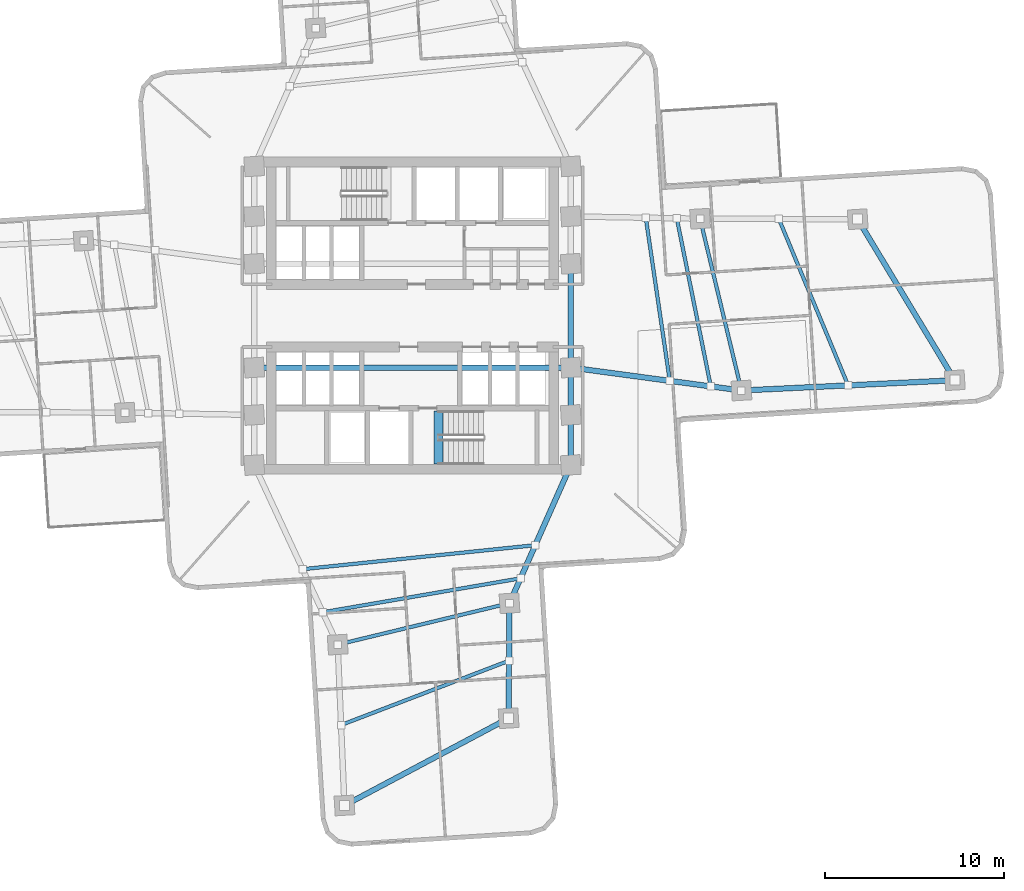
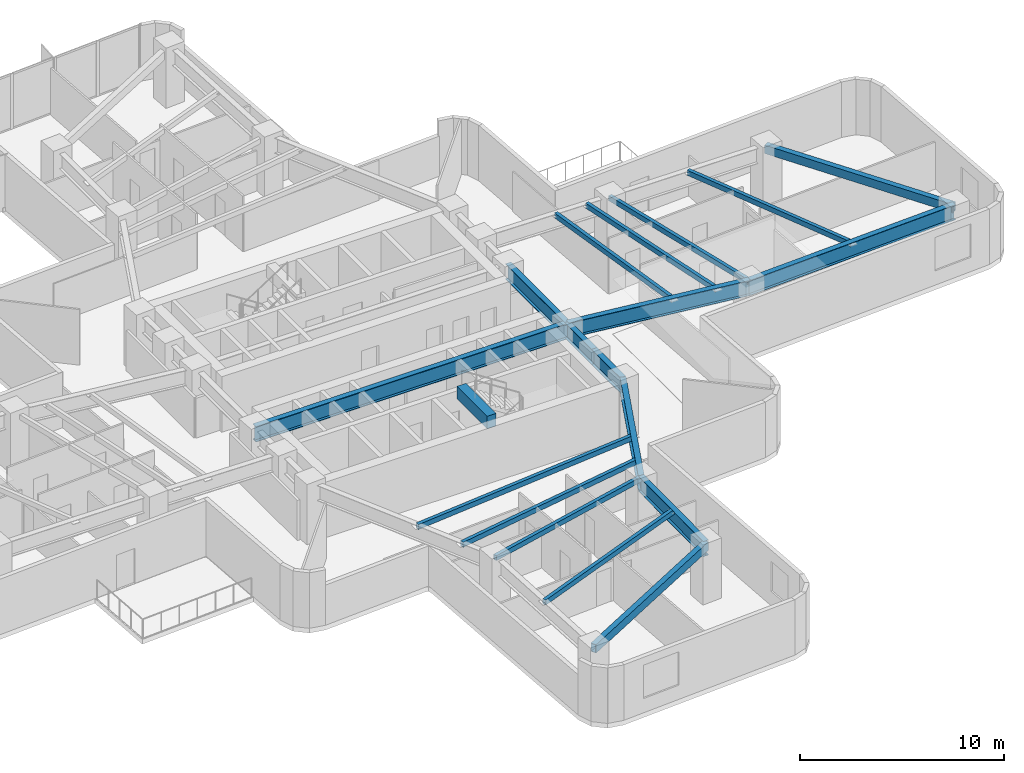
# One storey, part 3 of 16: 19 beams.
"""IFC4 building model written with IfcOpenShell, lengths in metres."""

from ifc_helpers import new_model, si_unit, direction, frame, origin, origin_2d, place, context, subcontext, project, spatial, rectangle, hollow_rectangle, i_section, extrude, material, material_profile, profile_set, type_object, element, save


model = new_model("IFC4")

# Units and contexts
model_context = context("Model", 3, precision=1e-05, world=origin(), true_north=direction((0.0, 1.0)))
body_context = subcontext(model_context, "Body", "Model", "MODEL_VIEW")
ifc_project = project(units=[si_unit("LENGTHUNIT", "METRE"), si_unit("AREAUNIT", "SQUARE_METRE"), si_unit("VOLUMEUNIT", "CUBIC_METRE"), si_unit("PLANEANGLEUNIT", "RADIAN"), si_unit("MASSUNIT", "GRAM", prefix="KILO")], contexts=[model_context])

# Site, building, storey
site_placement = place(None, origin())
site = spatial("IfcSite", under=ifc_project, at=site_placement, CompositionType="ELEMENT")
building_placement = place(site_placement, origin())
building = spatial("IfcBuilding", under=site, at=building_placement, Name="Solmarez Civic Tower", CompositionType="ELEMENT")
storey_placement = place(building_placement, frame((0.0, 0.0, 53.280029296875)))
storey = spatial("IfcBuildingStorey", under=building, at=storey_placement, Name="L13", CompositionType="ELEMENT", Elevation=53.280029296875)

# Beams
ifc_material_1 = material(Name="Steel S355", Category="steel")
ifc_material_profile_1 = material_profile(ifc_material_1, hollow_rectangle(XDim=0.199951171875, YDim=0.300048828125, WallThickness=0.011962890625, at=origin_2d()), Name="HSS300X200X12")
ifc_profile_set_1 = profile_set([ifc_material_profile_1], Name="Steel S355")
beam_type_1 = type_object("IfcBeamType", Name="BM-JS-HSS300X200", PredefinedType="JOIST", material=ifc_profile_set_1)
beam_1_placement = place(storey_placement, frame((18.39111328125, -4.18408203125, 3.169921875), z_axis=(-0.234328919867, 0.97215737271, 0.0), x_axis=(-0.97215737271, -0.234328919867, 0.0)))
element("IfcBeam", 1, at=beam_1_placement, inside=storey, type_object=beam_type_1, Name="L13 Secondary Floor Joist BM-L13-EA-T1", PredefinedType="JOIST", context=body_context, shape_type="SweptSolid", body=[
    extrude(hollow_rectangle(XDim=0.199951171875, YDim=0.300048828125, WallThickness=0.011962890625, at=origin_2d()), origin(), (0.0, 0.0, 1.0), 9.880126953125),
])
beam_2_placement = place(storey_placement, frame((24.35498046875, -3.89697265625, 3.169921875), z_axis=(-0.384310898391, 0.923203733408, 0.0), x_axis=(-0.923203733408, -0.384310898391, 0.0)))
element("IfcBeam", 2, at=beam_2_placement, inside=storey, type_object=beam_type_1, Name="L13 Secondary Floor Joist JS-L13-EA-M2", PredefinedType="JOIST", context=body_context, shape_type="SweptSolid", body=[
    extrude(hollow_rectangle(XDim=0.199951171875, YDim=0.300048828125, WallThickness=0.011962890625, at=origin_2d()), origin(), (0.0, 0.0, 1.0), 10.077880859375),
])
beam_3_placement = place(storey_placement, frame((14.384033203125, -3.64501953125, 3.169921875), z_axis=(-0.145687649447, 0.989330636743, 0.0), x_axis=(-0.989330636743, -0.145687649447, 0.0)))
element("IfcBeam", 3, at=beam_3_placement, inside=storey, type_object=beam_type_1, Name="L13 Secondary Floor Joist JS-L13-EA-M11", PredefinedType="JOIST", context=body_context, shape_type="SweptSolid", body=[
    extrude(hollow_rectangle(XDim=0.199951171875, YDim=0.300048828125, WallThickness=0.011962890625, at=origin_2d()), origin(), (0.0, 0.0, 1.0), 9.218505859375),
])
beam_4_placement = place(storey_placement, frame((16.674072265625, -3.952880859375, 3.169921875), z_axis=(-0.198099134772, 0.980181989634, 0.0), x_axis=(-0.980181989634, -0.198099134772, 0.0)))
element("IfcBeam", 4, at=beam_4_placement, inside=storey, type_object=beam_type_1, Name="L13 Secondary Floor Joist JS-L13-EA-M12", PredefinedType="JOIST", context=body_context, shape_type="SweptSolid", body=[
    extrude(hollow_rectangle(XDim=0.199951171875, YDim=0.300048828125, WallThickness=0.011962890625, at=origin_2d()), origin(), (0.0, 0.0, 1.0), 9.5869140625),
])
beam_5_placement = place(storey_placement, frame((-4.18408203125, -18.39111328125, 3.169921875), z_axis=(0.97215737271, 0.234328919867, 0.0), x_axis=(-0.234328919867, 0.97215737271, 0.0)))
element("IfcBeam", 5, at=beam_5_placement, inside=storey, type_object=beam_type_1, Name="L13 Secondary Floor Joist BM-L13-SA-T1", PredefinedType="JOIST", context=body_context, shape_type="SweptSolid", body=[
    extrude(hollow_rectangle(XDim=0.199951171875, YDim=0.300048828125, WallThickness=0.011962890625, at=origin_2d()), origin(), (0.0, 0.0, 1.0), 9.880126953125),
])
beam_6_placement = place(storey_placement, frame((-3.9951171875, -22.886962890625, 3.169921875), z_axis=(0.933878315551, 0.357590955903, 0.0), x_axis=(-0.357590955903, 0.933878315551, 0.0)))
element("IfcBeam", 6, at=beam_6_placement, inside=storey, type_object=beam_type_1, Name="L13 Secondary Floor Joist JS-L13-SA-M2", PredefinedType="JOIST", context=body_context, shape_type="SweptSolid", body=[
    extrude(hollow_rectangle(XDim=0.199951171875, YDim=0.300048828125, WallThickness=0.011962890625, at=origin_2d()), origin(), (0.0, 0.0, 1.0), 10.05615234375),
])
beam_7_placement = place(storey_placement, frame((-6.14404296875, -14.174072265625, 3.169921875), z_axis=(0.9947100999, 0.102722038325, 0.0), x_axis=(-0.102722038325, 0.9947100999, 0.0)))
element("IfcBeam", 7, at=beam_7_placement, inside=storey, type_object=beam_type_1, Name="L13 Secondary Floor Joist JS-L13-SA-M11", PredefinedType="JOIST", context=body_context, shape_type="SweptSolid", body=[
    extrude(hollow_rectangle(XDim=0.199951171875, YDim=0.300048828125, WallThickness=0.011962890625, at=origin_2d()), origin(), (0.0, 0.0, 1.0), 13.07421875),
])
beam_8_placement = place(storey_placement, frame((-5.02392578125, -16.583984375, 3.169921875), z_axis=(0.985583934907, 0.169187195889, 0.0), x_axis=(-0.169187195889, 0.985583934907, 0.0)))
element("IfcBeam", 8, at=beam_8_placement, inside=storey, type_object=beam_type_1, Name="L13 Secondary Floor Joist JS-L13-SA-M12", PredefinedType="JOIST", context=body_context, shape_type="SweptSolid", body=[
    extrude(hollow_rectangle(XDim=0.199951171875, YDim=0.300048828125, WallThickness=0.011962890625, at=origin_2d()), origin(), (0.0, 0.0, 1.0), 11.223876953125),
])
ifc_material_2 = material(Name="Concrete C50/60", Category="concrete")
ifc_material_profile_2 = material_profile(ifc_material_2, rectangle(XDim=0.5, YDim=0.75, at=origin_2d()), Name="RC500X750")
ifc_profile_set_2 = profile_set([ifc_material_profile_2], Name="Concrete C50/60")
beam_type_2 = type_object("IfcBeamType", Name="BM-PR-RC500X750", PredefinedType="BEAM", material=ifc_profile_set_2)
beam_9_placement = place(storey_placement, frame((1.449951171875, -8.300048828125, 3.23291015625), z_axis=(0.0, 1.0, 0.0), x_axis=(-1.0, 0.0, 0.0)))
element("IfcBeam", 9, at=beam_9_placement, inside=storey, type_object=beam_type_2, Name="L13 South Stair Threshold Beam", PredefinedType="BEAM", context=body_context, shape_type="SweptSolid", body=[
    extrude(rectangle(XDim=0.5, YDim=0.75, at=origin_2d()), origin(), (0.0, 0.0, 1.0), 2.9599609375),
])
ifc_material_profile_3 = material_profile(ifc_material_1, i_section(OverallWidth=0.303955078125, OverallDepth=0.910888671875, WebThickness=0.015869140625, FlangeThickness=0.02392578125, at=origin_2d()), Name="W36X150")
ifc_profile_set_3 = profile_set([ifc_material_profile_3], Name="Steel S355")
beam_type_3 = type_object("IfcBeamType", Name="BM-PR-W36X150", PredefinedType="BEAM", material=ifc_profile_set_3)
beam_10_placement = place(storey_placement, frame((8.85009765625, -2.89990234375, 2.864990234375), z_axis=(0.991063240718, -0.133392851745, 0.0), x_axis=(0.133392851745, 0.991063240718, 0.0)))
element("IfcBeam", 10, at=beam_10_placement, inside=storey, type_object=beam_type_3, Name="L13 Primary Floor Beam BM-L13-EA-R1A", PredefinedType="BEAM", context=body_context, shape_type="SweptSolid", body=[
    extrude(i_section(OverallWidth=0.303955078125, OverallDepth=0.910888671875, WebThickness=0.015869140625, FlangeThickness=0.02392578125, at=origin_2d()), origin(), (0.0, 0.0, 1.0), 9.626953125),
])
beam_11_placement = place(storey_placement, frame((18.39111328125, -4.18408203125, 2.864990234375), z_axis=(0.998839135977, 0.048170327398, 0.0), x_axis=(-0.048170327398, 0.998839135977, 0.0)))
element("IfcBeam", 11, at=beam_11_placement, inside=storey, type_object=beam_type_3, Name="L13 Primary Floor Beam BM-L13-EA-R2A", PredefinedType="BEAM", context=body_context, shape_type="SweptSolid", body=[
    extrude(i_section(OverallWidth=0.303955078125, OverallDepth=0.910888671875, WebThickness=0.015869140625, FlangeThickness=0.02392578125, at=origin_2d()), origin(), (0.0, 0.0, 1.0), 11.94091796875),
])
beam_12_placement = place(storey_placement, frame((8.85009765625, -8.35009765625, 2.864990234375), z_axis=(-0.405693556952, -0.914009156326, 0.0), x_axis=(0.914009156326, -0.405693556952, 0.0)))
element("IfcBeam", 12, at=beam_12_placement, inside=storey, type_object=beam_type_3, Name="L13 Primary Floor Beam BM-L13-SA-R1B", PredefinedType="BEAM", context=body_context, shape_type="SweptSolid", body=[
    extrude(i_section(OverallWidth=0.303955078125, OverallDepth=0.910888671875, WebThickness=0.015869140625, FlangeThickness=0.02392578125, at=origin_2d()), origin(), (0.0, 0.0, 1.0), 8.45263671875),
])
beam_13_placement = place(storey_placement, frame((5.4208984375, -16.075927734375, 2.864990234375), z_axis=(-0.007592219108, -0.999971178689, 0.0), x_axis=(0.999971178689, -0.007592219108, 0.0)))
element("IfcBeam", 13, at=beam_13_placement, inside=storey, type_object=beam_type_3, Name="L13 Primary Floor Beam BM-L13-SA-R2B", PredefinedType="BEAM", context=body_context, shape_type="SweptSolid", body=[
    extrude(i_section(OverallWidth=0.303955078125, OverallDepth=0.910888671875, WebThickness=0.015869140625, FlangeThickness=0.02392578125, at=origin_2d()), origin(), (0.0, 0.0, 1.0), 6.431396484375),
])
ifc_material_profile_4 = material_profile(ifc_material_1, i_section(OverallWidth=0.306884765625, OverallDepth=0.927001953125, WebThickness=0.019287109375, FlangeThickness=0.031982421875, at=origin_2d()), Name="W36X194")
ifc_profile_set_4 = profile_set([ifc_material_profile_4], Name="Steel S355")
beam_type_4 = type_object("IfcBeamType", Name="BM-PR-W36X194", PredefinedType="BEAM", material=ifc_profile_set_4)
beam_14_placement = place(storey_placement, frame((8.85009765625, -8.35009765625, 2.85595703125), z_axis=(0.0, 1.0, 0.0), x_axis=(-1.0, 0.0, 0.0)))
element("IfcBeam", 14, at=beam_14_placement, inside=storey, type_object=beam_type_4, Name="L13 Primary Floor Beam BM-L13-HC10-HC5", PredefinedType="BEAM", context=body_context, shape_type="SweptSolid", body=[
    extrude(i_section(OverallWidth=0.306884765625, OverallDepth=0.927001953125, WebThickness=0.019287109375, FlangeThickness=0.031982421875, at=origin_2d()), origin(), (0.0, 0.0, 1.0), 2.800048828125),
])
beam_15_placement = place(storey_placement, frame((8.85009765625, -5.550048828125, 2.85595703125), z_axis=(0.0, 1.0, 0.0), x_axis=(-1.0, 0.0, 0.0)))
element("IfcBeam", 15, at=beam_15_placement, inside=storey, type_object=beam_type_4, Name="L13 Primary Floor Beam BM-L13-HC5-HC6", PredefinedType="BEAM", context=body_context, shape_type="SweptSolid", body=[
    extrude(i_section(OverallWidth=0.306884765625, OverallDepth=0.927001953125, WebThickness=0.019287109375, FlangeThickness=0.031982421875, at=origin_2d()), origin(), (0.0, 0.0, 1.0), 2.650146484375),
])
beam_16_placement = place(storey_placement, frame((8.85009765625, -2.89990234375, 2.85595703125), z_axis=(0.0, 1.0, 0.0), x_axis=(-1.0, 0.0, 0.0)))
element("IfcBeam", 16, at=beam_16_placement, inside=storey, type_object=beam_type_4, Name="L13 Primary Floor Beam BM-L13-HC6-HC7", PredefinedType="BEAM", context=body_context, shape_type="SweptSolid", body=[
    extrude(i_section(OverallWidth=0.306884765625, OverallDepth=0.927001953125, WebThickness=0.019287109375, FlangeThickness=0.031982421875, at=origin_2d()), origin(), (0.0, 0.0, 1.0), 5.7998046875),
])
beam_17_placement = place(storey_placement, frame((-8.85009765625, -2.89990234375, 2.85595703125), z_axis=(1.0, 0.0, 0.0), x_axis=(0.0, 1.0, 0.0)))
element("IfcBeam", 17, at=beam_17_placement, inside=storey, type_object=beam_type_4, Name="L13 Primary Floor Beam BM-L13-HC2-HC6", PredefinedType="BEAM", context=body_context, shape_type="SweptSolid", body=[
    extrude(i_section(OverallWidth=0.306884765625, OverallDepth=0.927001953125, WebThickness=0.019287109375, FlangeThickness=0.031982421875, at=origin_2d()), origin(), (0.0, 0.0, 1.0), 17.7001953125),
])
ifc_material_profile_5 = material_profile(ifc_material_1, hollow_rectangle(XDim=0.300048828125, YDim=0.5, WallThickness=0.02001953125, at=origin_2d()), Name="HSS500X300X20")
ifc_profile_set_5 = profile_set([ifc_material_profile_5], Name="Steel S355")
beam_type_5 = type_object("IfcBeamType", Name="BM-SP-HSS500X300", PredefinedType="SPANDREL", material=ifc_profile_set_5)
beam_18_placement = place(storey_placement, frame((30.318115234375, -3.60888671875, 3.070068359375), z_axis=(-0.516522901024, 0.856273374991, 0.0), x_axis=(-0.856273374991, -0.516522901024, 0.0)))
element("IfcBeam", 18, at=beam_18_placement, inside=storey, type_object=beam_type_5, Name="L13 Perimeter Spandrel Beam BM-L13-EA-T2", PredefinedType="SPANDREL", context=body_context, shape_type="SweptSolid", body=[
    extrude(hollow_rectangle(XDim=0.300048828125, YDim=0.5, WallThickness=0.02001953125, at=origin_2d()), origin(), (0.0, 0.0, 1.0), 10.512939453125),
])
beam_19_placement = place(storey_placement, frame((-3.806884765625, -27.383056640625, 3.070068359375), z_axis=(0.883129404808, 0.469129464394, 0.0), x_axis=(-0.469129464394, 0.883129404808, 0.0)))
element("IfcBeam", 19, at=beam_19_placement, inside=storey, type_object=beam_type_5, Name="L13 Perimeter Spandrel Beam BM-L13-SA-T2", PredefinedType="SPANDREL", context=body_context, shape_type="SweptSolid", body=[
    extrude(hollow_rectangle(XDim=0.300048828125, YDim=0.5, WallThickness=0.02001953125, at=origin_2d()), origin(), (0.0, 0.0, 1.0), 10.3935546875),
])

save(model, "model.ifc")
